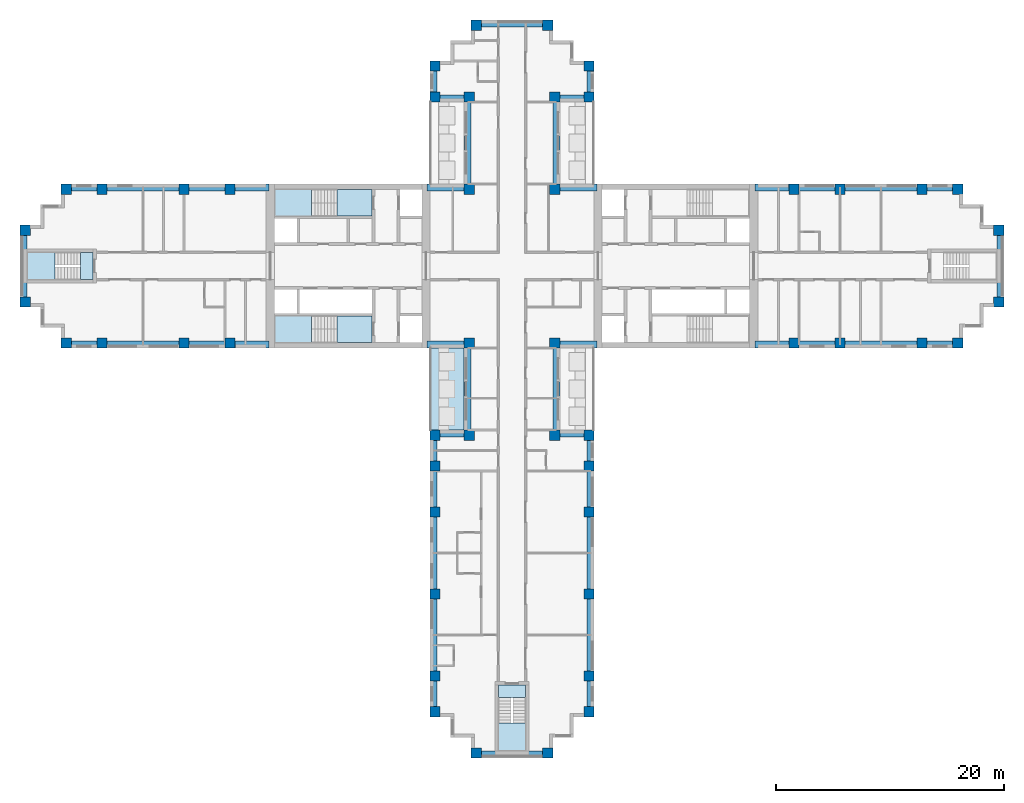
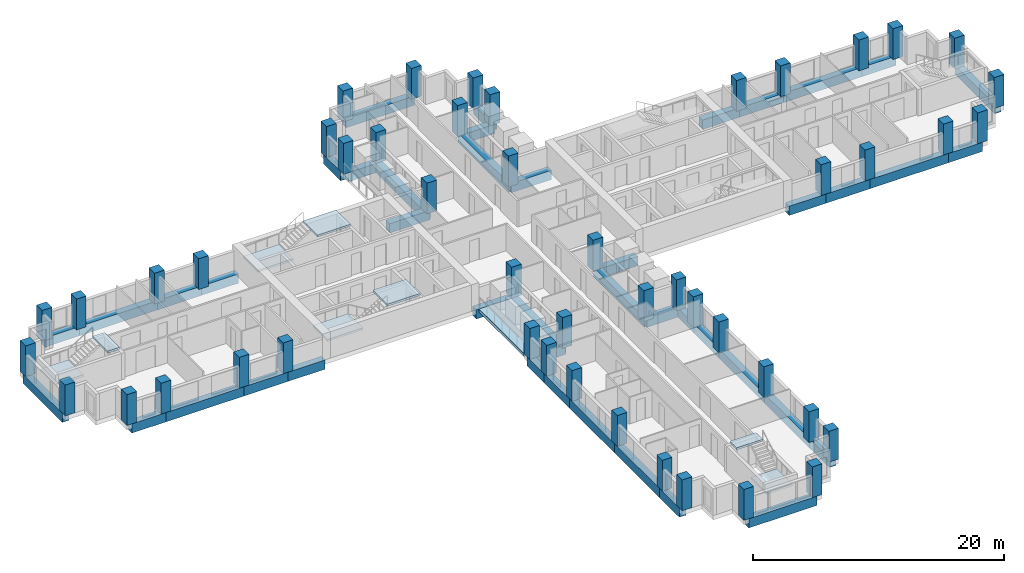
# One storey, part 1 of 13: 48 columns, 44 beams, 9 slabs, 4 elements without a shape of their own.
"""IFC4 building model written with IfcOpenShell, lengths in metres."""

from ifc_helpers import new_model, si_unit, direction, frame, origin, origin_2d, place, context, subcontext, project, spatial, polyline, rectangle, outline, extrude, material, layer, layer_set, material_profile, profile_set, type_object, element, aggregate, save


model = new_model("IFC4")

# Units and contexts
model_context = context("Model", 3, precision=1e-05, world=origin(), true_north=direction((0.0, 1.0)))
body_context = subcontext(model_context, "Body", "Model", "MODEL_VIEW")
ifc_project = project(units=[si_unit("LENGTHUNIT", "METRE"), si_unit("AREAUNIT", "SQUARE_METRE"), si_unit("VOLUMEUNIT", "CUBIC_METRE"), si_unit("PLANEANGLEUNIT", "RADIAN"), si_unit("MASSUNIT", "GRAM", prefix="KILO")], contexts=[model_context])

# Site, building, storey
site_placement = place(None, origin())
site = spatial("IfcSite", under=ifc_project, at=site_placement, CompositionType="ELEMENT")
building_placement = place(site_placement, origin())
building = spatial("IfcBuilding", under=site, at=building_placement, Name="Fustian Cross Tower", CompositionType="ELEMENT")
storey_placement = place(building_placement, frame((0.0, 0.0, 81.89990234375)))
storey = spatial("IfcBuildingStorey", under=building, at=storey_placement, Name="L25", CompositionType="ELEMENT", Elevation=81.89990234375)

# Columns
ifc_material_1 = material(Name="Concrete C60/75", Category="concrete")
ifc_material_profile_1 = material_profile(ifc_material_1, rectangle(XDim=0.89990234375, YDim=0.89990234375, at=origin_2d()), Name="RC 900x900")
ifc_profile_set_1 = profile_set([ifc_material_profile_1], Name="Concrete C60/75")
column_type = type_object("IfcColumnType", Name="COLUMN RC 900x900 C60/75", PredefinedType="COLUMN", material=ifc_profile_set_1)
for number, where, z_axis, x_axis, name in (
    (1, (-42.75, -3.14990234375, 0.0), (0.0, 0.0, 1.0), (1.0, 0.0, 0.0), "COLUMN 001"),
    (2, (-42.75, 3.14990234375, 0.0), (0.0, 0.0, 1.0), (1.0, 0.0, 0.0), "COLUMN 002"),
    (3, (-39.14990234375, -6.75, 0.0), (0.0, 0.0, 1.0), (1.0, 0.0, 0.0), "COLUMN 003"),
    (4, (-39.14990234375, 6.75, 0.0), (0.0, 0.0, 1.0), (1.0, 0.0, 0.0), "COLUMN 004"),
    (5, (-36.0, -6.75, 0.0), (0.0, 0.0, 1.0), (1.0, 0.0, 0.0), "COLUMN 005"),
    (6, (-36.0, 6.75, 0.0), (0.0, 0.0, 1.0), (1.0, 0.0, 0.0), "COLUMN 006"),
    (7, (-28.800048828125, -6.75, 0.0), (0.0, 0.0, 1.0), (1.0, 0.0, 0.0), "COLUMN 007"),
    (8, (-28.800048828125, 6.75, 0.0), (0.0, 0.0, 1.0), (1.0, 0.0, 0.0), "COLUMN 010"),
    (9, (-24.75, -6.75, 0.0), (0.0, 0.0, 1.0), (1.0, 0.0, 0.0), "COLUMN 011"),
    (10, (-24.75, 6.75, 0.0), (0.0, 0.0, 1.0), (1.0, 0.0, 0.0), "COLUMN 012"),
    (11, (-6.75, -39.14990234375, 0.0), (0.0, 0.0, 1.0), (1.0, 0.0, 0.0), "COLUMN 013"),
    (12, (-6.75, -36.0, 0.0), (0.0, 0.0, 1.0), (1.0, 0.0, 0.0), "COLUMN 014"),
    (13, (-6.75, -28.800048828125, 0.0), (0.0, 0.0, 1.0), (1.0, 0.0, 0.0), "COLUMN 015"),
    (14, (-6.75, -21.60009765625, 0.0), (0.0, 0.0, 1.0), (1.0, 0.0, 0.0), "COLUMN 016"),
    (15, (-6.75, -17.550048828125, 0.0), (0.0, 0.0, 1.0), (1.0, 0.0, 0.0), "COLUMN 017"),
    (16, (-6.75, -14.85009765625, 0.0), (0.0, 0.0, 1.0), (1.0, 0.0, 0.0), "COLUMN 018"),
    (17, (-6.75, 14.85009765625, 0.0), (0.0, 0.0, 1.0), (1.0, 0.0, 0.0), "COLUMN 019"),
    (18, (-6.75, 17.550048828125, 0.0), (0.0, 0.0, 1.0), (1.0, 0.0, 0.0), "COLUMN 020"),
    (19, (-3.75, -14.85009765625, 0.0), (0.0, 0.0, 1.0), (1.0, 0.0, 0.0), "COLUMN 025"),
    (20, (-3.75, -6.75, 0.0), (0.0, 0.0, 1.0), (1.0, 0.0, 0.0), "COLUMN 026"),
    (21, (-3.75, 6.75, 0.0), (0.0, 0.0, 1.0), (1.0, 0.0, 0.0), "COLUMN 027"),
    (22, (-3.75, 14.85009765625, 0.0), (0.0, 0.0, 1.0), (1.0, 0.0, 0.0), "COLUMN 028"),
    (23, (-3.14990234375, -42.75, 0.0), (0.0, 0.0, 1.0), (1.0, 0.0, 0.0), "COLUMN 029"),
    (24, (-3.14990234375, 21.14990234375, 0.0), (0.0, 0.0, 1.0), (1.0, 0.0, 0.0), "COLUMN 031"),
    (25, (3.14990234375, -42.75, 0.0), (0.0, 0.0, 1.0), (1.0, 0.0, 0.0), "COLUMN 033"),
    (26, (3.14990234375, 21.14990234375, 0.0), (0.0, 0.0, 1.0), (1.0, 0.0, 0.0), "COLUMN 035"),
    (27, (3.75, -14.85009765625, 0.0), (0.0, 0.0, 1.0), (1.0, 0.0, 0.0), "COLUMN 037"),
    (28, (3.75, -6.75, 0.0), (0.0, 0.0, 1.0), (1.0, 0.0, 0.0), "COLUMN 038"),
    (29, (3.75, 6.75, 0.0), (0.0, 0.0, 1.0), (1.0, 0.0, 0.0), "COLUMN 039"),
    (30, (3.75, 14.85009765625, 0.0), (0.0, 0.0, 1.0), (1.0, 0.0, 0.0), "COLUMN 040"),
    (31, (6.75, -39.14990234375, 0.0), (0.0, 0.0, 1.0), (1.0, 0.0, 0.0), "COLUMN 041"),
    (32, (6.75, -36.0, 0.0), (0.0, 0.0, 1.0), (1.0, 0.0, 0.0), "COLUMN 042"),
    (33, (6.75, -28.800048828125, 0.0), (0.0, 0.0, 1.0), (1.0, 0.0, 0.0), "COLUMN 043"),
    (34, (6.75, -21.60009765625, 0.0), (0.0, 0.0, 1.0), (1.0, 0.0, 0.0), "COLUMN 044"),
    (35, (6.75, -17.550048828125, 0.0), (0.0, 0.0, 1.0), (1.0, 0.0, 0.0), "COLUMN 045"),
    (36, (6.75, -14.85009765625, 0.0), (0.0, 0.0, 1.0), (1.0, 0.0, 0.0), "COLUMN 046"),
    (37, (6.75, 14.85009765625, 0.0), (0.0, 0.0, 1.0), (1.0, 0.0, 0.0), "COLUMN 047"),
    (38, (6.75, 17.550048828125, 0.0), (0.0, 0.0, 1.0), (1.0, 0.0, 0.0), "COLUMN 048"),
    (39, (24.75, -6.75, 0.0), (0.0, 0.0, 1.0), (1.0, 0.0, 0.0), "COLUMN 053"),
    (40, (24.75, 6.75, 0.0), (0.0, 0.0, 1.0), (1.0, 0.0, 0.0), "COLUMN 054"),
    (41, (28.800048828125, -6.75, 0.0), (0.0, 0.0, 1.0), (1.0, 0.0, 0.0), "COLUMN 055"),
    (42, (28.800048828125, 6.75, 0.0), (0.0, 0.0, 1.0), (1.0, 0.0, 0.0), "COLUMN 058"),
    (43, (36.0, -6.75, 0.0), (0.0, 0.0, 1.0), (1.0, 0.0, 0.0), "COLUMN 059"),
    (44, (36.0, 6.75, 0.0), (0.0, 0.0, 1.0), (1.0, 0.0, 0.0), "COLUMN 060"),
    (45, (39.14990234375, -6.75, 0.0), (0.0, 0.0, 1.0), (1.0, 0.0, 0.0), "COLUMN 061"),
    (46, (39.14990234375, 6.75, 0.0), (0.0, 0.0, 1.0), (1.0, 0.0, 0.0), "COLUMN 062"),
    (47, (42.75, -3.14990234375, 0.0), (0.0, 0.0, 1.0), (1.0, 0.0, 0.0), "COLUMN 063"),
    (48, (42.75, 3.14990234375, 0.0), (0.0, 0.0, 1.0), (1.0, 0.0, 0.0), "COLUMN 064"),
):
    element("IfcColumn", number, at=place(storey_placement, frame(where, z_axis=z_axis, x_axis=x_axis)), inside=storey, type_object=column_type, Name=name, PredefinedType="COLUMN", context=body_context, shape_type="SweptSolid", body=[
        extrude(rectangle(XDim=0.89990234375, YDim=0.89990234375, at=origin_2d()), origin(), (0.0, 0.0, 1.0), 3.0),
    ])

# Beams
ifc_material_2 = material(Name="Concrete C50/60", Category="concrete")
ifc_material_profile_2 = material_profile(ifc_material_2, rectangle(XDim=0.60009765625, YDim=0.89990234375, at=origin_2d()), Name="RC 600x900")
ifc_profile_set_2 = profile_set([ifc_material_profile_2], Name="Concrete C50/60")
beam_type = type_object("IfcBeamType", Name="EDGE BEAM RC 600x900 C50/60", PredefinedType="SPANDREL", material=ifc_profile_set_2)
beam_1_placement = place(storey_placement, frame((21.35009765625, -6.89990234375, -0.449951171875), z_axis=(1.0, 0.0, 0.0), x_axis=(0.0, 1.0, 0.0)))
element("IfcBeam", 49, at=beam_1_placement, inside=storey, type_object=beam_type, Name="EDGE BEAM L25-01", PredefinedType="SPANDREL", context=body_context, shape_type="SweptSolid", body=[
    extrude(rectangle(XDim=0.60009765625, YDim=0.89990234375, at=origin_2d()), origin(), (0.0, 0.0, 1.0), 3.39990234375),
])
beam_2_placement = place(storey_placement, frame((24.75, -6.89990234375, -0.449951171875), z_axis=(1.0, 0.0, 0.0), x_axis=(0.0, 1.0, 0.0)))
element("IfcBeam", 50, at=beam_2_placement, inside=storey, type_object=beam_type, Name="EDGE BEAM L25-02", PredefinedType="SPANDREL", context=body_context, shape_type="SweptSolid", body=[
    extrude(rectangle(XDim=0.60009765625, YDim=0.89990234375, at=origin_2d()), origin(), (0.0, 0.0, 1.0), 4.050048828125),
])
beam_3_placement = place(storey_placement, frame((28.800048828125, -6.89990234375, -0.449951171875), z_axis=(1.0, 0.0, 0.0), x_axis=(0.0, 1.0, 0.0)))
element("IfcBeam", 51, at=beam_3_placement, inside=storey, type_object=beam_type, Name="EDGE BEAM L25-03", PredefinedType="SPANDREL", context=body_context, shape_type="SweptSolid", body=[
    extrude(rectangle(XDim=0.60009765625, YDim=0.89990234375, at=origin_2d()), origin(), (0.0, 0.0, 1.0), 7.199951171875),
])
beam_4_placement = place(storey_placement, frame((36.0, -6.89990234375, -0.449951171875), z_axis=(1.0, 0.0, 0.0), x_axis=(0.0, 1.0, 0.0)))
element("IfcBeam", 52, at=beam_4_placement, inside=storey, type_object=beam_type, Name="EDGE BEAM L25-04", PredefinedType="SPANDREL", context=body_context, shape_type="SweptSolid", body=[
    extrude(rectangle(XDim=0.60009765625, YDim=0.89990234375, at=origin_2d()), origin(), (0.0, 0.0, 1.0), 3.14990234375),
])
beam_5_placement = place(storey_placement, frame((42.89990234375, -3.14990234375, -0.449951171875), z_axis=(0.0, 1.0, 0.0), x_axis=(-1.0, 0.0, 0.0)))
element("IfcBeam", 53, at=beam_5_placement, inside=storey, type_object=beam_type, Name="EDGE BEAM L25-05", PredefinedType="SPANDREL", context=body_context, shape_type="SweptSolid", body=[
    extrude(rectangle(XDim=0.60009765625, YDim=0.89990234375, at=origin_2d()), origin(), (0.0, 0.0, 1.0), 6.2998046875),
])
beam_6_placement = place(storey_placement, frame((39.14990234375, 6.89990234375, -0.449951171875), z_axis=(-1.0, 0.0, 0.0), x_axis=(0.0, -1.0, 0.0)))
element("IfcBeam", 54, at=beam_6_placement, inside=storey, type_object=beam_type, Name="EDGE BEAM L25-06", PredefinedType="SPANDREL", context=body_context, shape_type="SweptSolid", body=[
    extrude(rectangle(XDim=0.60009765625, YDim=0.89990234375, at=origin_2d()), origin(), (0.0, 0.0, 1.0), 3.14990234375),
])
beam_7_placement = place(storey_placement, frame((36.0, 6.89990234375, -0.449951171875), z_axis=(-1.0, 0.0, 0.0), x_axis=(0.0, -1.0, 0.0)))
element("IfcBeam", 55, at=beam_7_placement, inside=storey, type_object=beam_type, Name="EDGE BEAM L25-07", PredefinedType="SPANDREL", context=body_context, shape_type="SweptSolid", body=[
    extrude(rectangle(XDim=0.60009765625, YDim=0.89990234375, at=origin_2d()), origin(), (0.0, 0.0, 1.0), 7.199951171875),
])
beam_8_placement = place(storey_placement, frame((28.800048828125, 6.89990234375, -0.449951171875), z_axis=(-1.0, 0.0, 0.0), x_axis=(0.0, -1.0, 0.0)))
element("IfcBeam", 56, at=beam_8_placement, inside=storey, type_object=beam_type, Name="EDGE BEAM L25-08", PredefinedType="SPANDREL", context=body_context, shape_type="SweptSolid", body=[
    extrude(rectangle(XDim=0.60009765625, YDim=0.89990234375, at=origin_2d()), origin(), (0.0, 0.0, 1.0), 4.050048828125),
])
beam_9_placement = place(storey_placement, frame((24.75, 6.89990234375, -0.449951171875), z_axis=(-1.0, 0.0, 0.0), x_axis=(0.0, -1.0, 0.0)))
element("IfcBeam", 57, at=beam_9_placement, inside=storey, type_object=beam_type, Name="EDGE BEAM L25-09", PredefinedType="SPANDREL", context=body_context, shape_type="SweptSolid", body=[
    extrude(rectangle(XDim=0.60009765625, YDim=0.89990234375, at=origin_2d()), origin(), (0.0, 0.0, 1.0), 3.39990234375),
])
beam_10_placement = place(storey_placement, frame((7.449951171875, 6.89990234375, -0.449951171875), z_axis=(-1.0, 0.0, 0.0), x_axis=(0.0, -1.0, 0.0)))
element("IfcBeam", 58, at=beam_10_placement, inside=storey, type_object=beam_type, Name="EDGE BEAM L25-10", PredefinedType="SPANDREL", context=body_context, shape_type="SweptSolid", body=[
    extrude(rectangle(XDim=0.60009765625, YDim=0.89990234375, at=origin_2d()), origin(), (0.0, 0.0, 1.0), 3.699951171875),
])
beam_11_placement = place(storey_placement, frame((3.89990234375, 6.75, -0.449951171875), z_axis=(0.0, 1.0, 0.0), x_axis=(-1.0, 0.0, 0.0)))
element("IfcBeam", 59, at=beam_11_placement, inside=storey, type_object=beam_type, Name="EDGE BEAM L25-11", PredefinedType="SPANDREL", context=body_context, shape_type="SweptSolid", body=[
    extrude(rectangle(XDim=0.60009765625, YDim=0.89990234375, at=origin_2d()), origin(), (0.0, 0.0, 1.0), 8.10009765625),
])
beam_12_placement = place(storey_placement, frame((3.75, 14.699951171875, -0.449951171875), z_axis=(1.0, 0.0, 0.0), x_axis=(0.0, 1.0, 0.0)))
element("IfcBeam", 60, at=beam_12_placement, inside=storey, type_object=beam_type, Name="EDGE BEAM L25-12", PredefinedType="SPANDREL", context=body_context, shape_type="SweptSolid", body=[
    extrude(rectangle(XDim=0.60009765625, YDim=0.89990234375, at=origin_2d()), origin(), (0.0, 0.0, 1.0), 3.0),
])
beam_13_placement = place(storey_placement, frame((6.89990234375, 14.85009765625, -0.449951171875), z_axis=(0.0, 1.0, 0.0), x_axis=(-1.0, 0.0, 0.0)))
element("IfcBeam", 61, at=beam_13_placement, inside=storey, type_object=beam_type, Name="EDGE BEAM L25-13", PredefinedType="SPANDREL", context=body_context, shape_type="SweptSolid", body=[
    extrude(rectangle(XDim=0.60009765625, YDim=0.89990234375, at=origin_2d()), origin(), (0.0, 0.0, 1.0), 2.699951171875),
])
beam_14_placement = place(storey_placement, frame((3.14990234375, 21.300048828125, -0.449951171875), z_axis=(-1.0, 0.0, 0.0), x_axis=(0.0, -1.0, 0.0)))
element("IfcBeam", 62, at=beam_14_placement, inside=storey, type_object=beam_type, Name="EDGE BEAM L25-14", PredefinedType="SPANDREL", context=body_context, shape_type="SweptSolid", body=[
    extrude(rectangle(XDim=0.60009765625, YDim=0.89990234375, at=origin_2d()), origin(), (0.0, 0.0, 1.0), 6.2998046875),
])
beam_15_placement = place(storey_placement, frame((-6.89990234375, 17.550048828125, -0.449951171875), z_axis=(0.0, -1.0, 0.0), x_axis=(1.0, 0.0, 0.0)))
element("IfcBeam", 63, at=beam_15_placement, inside=storey, type_object=beam_type, Name="EDGE BEAM L25-15", PredefinedType="SPANDREL", context=body_context, shape_type="SweptSolid", body=[
    extrude(rectangle(XDim=0.60009765625, YDim=0.89990234375, at=origin_2d()), origin(), (0.0, 0.0, 1.0), 2.699951171875),
])
beam_16_placement = place(storey_placement, frame((-6.75, 14.699951171875, -0.449951171875), z_axis=(1.0, 0.0, 0.0), x_axis=(0.0, 1.0, 0.0)))
element("IfcBeam", 64, at=beam_16_placement, inside=storey, type_object=beam_type, Name="EDGE BEAM L25-16", PredefinedType="SPANDREL", context=body_context, shape_type="SweptSolid", body=[
    extrude(rectangle(XDim=0.60009765625, YDim=0.89990234375, at=origin_2d()), origin(), (0.0, 0.0, 1.0), 3.0),
])
beam_17_placement = place(storey_placement, frame((-3.89990234375, 14.85009765625, -0.449951171875), z_axis=(0.0, -1.0, 0.0), x_axis=(1.0, 0.0, 0.0)))
element("IfcBeam", 65, at=beam_17_placement, inside=storey, type_object=beam_type, Name="EDGE BEAM L25-17", PredefinedType="SPANDREL", context=body_context, shape_type="SweptSolid", body=[
    extrude(rectangle(XDim=0.60009765625, YDim=0.89990234375, at=origin_2d()), origin(), (0.0, 0.0, 1.0), 8.10009765625),
])
beam_18_placement = place(storey_placement, frame((-3.75, 6.89990234375, -0.449951171875), z_axis=(-1.0, 0.0, 0.0), x_axis=(0.0, -1.0, 0.0)))
element("IfcBeam", 66, at=beam_18_placement, inside=storey, type_object=beam_type, Name="EDGE BEAM L25-18", PredefinedType="SPANDREL", context=body_context, shape_type="SweptSolid", body=[
    extrude(rectangle(XDim=0.60009765625, YDim=0.89990234375, at=origin_2d()), origin(), (0.0, 0.0, 1.0), 3.699951171875),
])
beam_19_placement = place(storey_placement, frame((-21.35009765625, 6.89990234375, -0.449951171875), z_axis=(-1.0, 0.0, 0.0), x_axis=(0.0, -1.0, 0.0)))
element("IfcBeam", 67, at=beam_19_placement, inside=storey, type_object=beam_type, Name="EDGE BEAM L25-19", PredefinedType="SPANDREL", context=body_context, shape_type="SweptSolid", body=[
    extrude(rectangle(XDim=0.60009765625, YDim=0.89990234375, at=origin_2d()), origin(), (0.0, 0.0, 1.0), 3.39990234375),
])
beam_20_placement = place(storey_placement, frame((-24.75, 6.89990234375, -0.449951171875), z_axis=(-1.0, 0.0, 0.0), x_axis=(0.0, -1.0, 0.0)))
element("IfcBeam", 68, at=beam_20_placement, inside=storey, type_object=beam_type, Name="EDGE BEAM L25-20", PredefinedType="SPANDREL", context=body_context, shape_type="SweptSolid", body=[
    extrude(rectangle(XDim=0.60009765625, YDim=0.89990234375, at=origin_2d()), origin(), (0.0, 0.0, 1.0), 4.050048828125),
])
beam_21_placement = place(storey_placement, frame((-28.800048828125, 6.89990234375, -0.449951171875), z_axis=(-1.0, 0.0, 0.0), x_axis=(0.0, -1.0, 0.0)))
element("IfcBeam", 69, at=beam_21_placement, inside=storey, type_object=beam_type, Name="EDGE BEAM L25-21", PredefinedType="SPANDREL", context=body_context, shape_type="SweptSolid", body=[
    extrude(rectangle(XDim=0.60009765625, YDim=0.89990234375, at=origin_2d()), origin(), (0.0, 0.0, 1.0), 7.199951171875),
])
beam_22_placement = place(storey_placement, frame((-36.0, 6.89990234375, -0.449951171875), z_axis=(-1.0, 0.0, 0.0), x_axis=(0.0, -1.0, 0.0)))
element("IfcBeam", 70, at=beam_22_placement, inside=storey, type_object=beam_type, Name="EDGE BEAM L25-22", PredefinedType="SPANDREL", context=body_context, shape_type="SweptSolid", body=[
    extrude(rectangle(XDim=0.60009765625, YDim=0.89990234375, at=origin_2d()), origin(), (0.0, 0.0, 1.0), 3.14990234375),
])
beam_23_placement = place(storey_placement, frame((-42.89990234375, 3.14990234375, -0.449951171875), z_axis=(0.0, -1.0, 0.0), x_axis=(1.0, 0.0, 0.0)))
element("IfcBeam", 71, at=beam_23_placement, inside=storey, type_object=beam_type, Name="EDGE BEAM L25-23", PredefinedType="SPANDREL", context=body_context, shape_type="SweptSolid", body=[
    extrude(rectangle(XDim=0.60009765625, YDim=0.89990234375, at=origin_2d()), origin(), (0.0, 0.0, 1.0), 6.2998046875),
])
beam_24_placement = place(storey_placement, frame((-39.14990234375, -6.89990234375, -0.449951171875), z_axis=(1.0, 0.0, 0.0), x_axis=(0.0, 1.0, 0.0)))
element("IfcBeam", 72, at=beam_24_placement, inside=storey, type_object=beam_type, Name="EDGE BEAM L25-24", PredefinedType="SPANDREL", context=body_context, shape_type="SweptSolid", body=[
    extrude(rectangle(XDim=0.60009765625, YDim=0.89990234375, at=origin_2d()), origin(), (0.0, 0.0, 1.0), 3.14990234375),
])
beam_25_placement = place(storey_placement, frame((-36.0, -6.89990234375, -0.449951171875), z_axis=(1.0, 0.0, 0.0), x_axis=(0.0, 1.0, 0.0)))
element("IfcBeam", 73, at=beam_25_placement, inside=storey, type_object=beam_type, Name="EDGE BEAM L25-25", PredefinedType="SPANDREL", context=body_context, shape_type="SweptSolid", body=[
    extrude(rectangle(XDim=0.60009765625, YDim=0.89990234375, at=origin_2d()), origin(), (0.0, 0.0, 1.0), 7.199951171875),
])
beam_26_placement = place(storey_placement, frame((-28.800048828125, -6.89990234375, -0.449951171875), z_axis=(1.0, 0.0, 0.0), x_axis=(0.0, 1.0, 0.0)))
element("IfcBeam", 74, at=beam_26_placement, inside=storey, type_object=beam_type, Name="EDGE BEAM L25-26", PredefinedType="SPANDREL", context=body_context, shape_type="SweptSolid", body=[
    extrude(rectangle(XDim=0.60009765625, YDim=0.89990234375, at=origin_2d()), origin(), (0.0, 0.0, 1.0), 4.050048828125),
])
beam_27_placement = place(storey_placement, frame((-24.75, -6.89990234375, -0.449951171875), z_axis=(1.0, 0.0, 0.0), x_axis=(0.0, 1.0, 0.0)))
element("IfcBeam", 75, at=beam_27_placement, inside=storey, type_object=beam_type, Name="EDGE BEAM L25-27", PredefinedType="SPANDREL", context=body_context, shape_type="SweptSolid", body=[
    extrude(rectangle(XDim=0.60009765625, YDim=0.89990234375, at=origin_2d()), origin(), (0.0, 0.0, 1.0), 3.39990234375),
])
beam_28_placement = place(storey_placement, frame((-7.449951171875, -6.89990234375, -0.449951171875), z_axis=(1.0, 0.0, 0.0), x_axis=(0.0, 1.0, 0.0)))
element("IfcBeam", 76, at=beam_28_placement, inside=storey, type_object=beam_type, Name="EDGE BEAM L25-28", PredefinedType="SPANDREL", context=body_context, shape_type="SweptSolid", body=[
    extrude(rectangle(XDim=0.60009765625, YDim=0.89990234375, at=origin_2d()), origin(), (0.0, 0.0, 1.0), 3.699951171875),
])
beam_29_placement = place(storey_placement, frame((-3.89990234375, -6.75, -0.449951171875), z_axis=(0.0, -1.0, 0.0), x_axis=(1.0, 0.0, 0.0)))
element("IfcBeam", 77, at=beam_29_placement, inside=storey, type_object=beam_type, Name="EDGE BEAM L25-29", PredefinedType="SPANDREL", context=body_context, shape_type="SweptSolid", body=[
    extrude(rectangle(XDim=0.60009765625, YDim=0.89990234375, at=origin_2d()), origin(), (0.0, 0.0, 1.0), 8.10009765625),
])
beam_30_placement = place(storey_placement, frame((-3.75, -14.699951171875, -0.449951171875), z_axis=(-1.0, 0.0, 0.0), x_axis=(0.0, -1.0, 0.0)))
element("IfcBeam", 78, at=beam_30_placement, inside=storey, type_object=beam_type, Name="EDGE BEAM L25-30", PredefinedType="SPANDREL", context=body_context, shape_type="SweptSolid", body=[
    extrude(rectangle(XDim=0.60009765625, YDim=0.89990234375, at=origin_2d()), origin(), (0.0, 0.0, 1.0), 3.0),
])
beam_31_placement = place(storey_placement, frame((-6.89990234375, -14.85009765625, -0.449951171875), z_axis=(0.0, -1.0, 0.0), x_axis=(1.0, 0.0, 0.0)))
element("IfcBeam", 79, at=beam_31_placement, inside=storey, type_object=beam_type, Name="EDGE BEAM L25-31", PredefinedType="SPANDREL", context=body_context, shape_type="SweptSolid", body=[
    extrude(rectangle(XDim=0.60009765625, YDim=0.89990234375, at=origin_2d()), origin(), (0.0, 0.0, 1.0), 2.699951171875),
])
beam_32_placement = place(storey_placement, frame((-6.89990234375, -17.550048828125, -0.449951171875), z_axis=(0.0, -1.0, 0.0), x_axis=(1.0, 0.0, 0.0)))
element("IfcBeam", 80, at=beam_32_placement, inside=storey, type_object=beam_type, Name="EDGE BEAM L25-32", PredefinedType="SPANDREL", context=body_context, shape_type="SweptSolid", body=[
    extrude(rectangle(XDim=0.60009765625, YDim=0.89990234375, at=origin_2d()), origin(), (0.0, 0.0, 1.0), 4.050048828125),
])
for number, where, z_axis, x_axis, name in (
    (81, (-6.89990234375, -21.60009765625, -0.449951171875), (0.0, -1.0, 0.0), (1.0, 0.0, 0.0), "EDGE BEAM L25-33"),
    (82, (-6.89990234375, -28.800048828125, -0.449951171875), (0.0, -1.0, 0.0), (1.0, 0.0, 0.0), "EDGE BEAM L25-34"),
):
    element("IfcBeam", number, at=place(storey_placement, frame(where, z_axis=z_axis, x_axis=x_axis)), inside=storey, type_object=beam_type, Name=name, PredefinedType="SPANDREL", context=body_context, shape_type="SweptSolid", body=[
        extrude(rectangle(XDim=0.60009765625, YDim=0.89990234375, at=origin_2d()), origin(), (0.0, 0.0, 1.0), 7.199951171875),
    ])
beam_33_placement = place(storey_placement, frame((-6.89990234375, -36.0, -0.449951171875), z_axis=(0.0, -1.0, 0.0), x_axis=(1.0, 0.0, 0.0)))
element("IfcBeam", 83, at=beam_33_placement, inside=storey, type_object=beam_type, Name="EDGE BEAM L25-35", PredefinedType="SPANDREL", context=body_context, shape_type="SweptSolid", body=[
    extrude(rectangle(XDim=0.60009765625, YDim=0.89990234375, at=origin_2d()), origin(), (0.0, 0.0, 1.0), 3.14990234375),
])
beam_34_placement = place(storey_placement, frame((-3.14990234375, -42.89990234375, -0.449951171875), z_axis=(1.0, 0.0, 0.0), x_axis=(0.0, 1.0, 0.0)))
element("IfcBeam", 84, at=beam_34_placement, inside=storey, type_object=beam_type, Name="EDGE BEAM L25-36", PredefinedType="SPANDREL", context=body_context, shape_type="SweptSolid", body=[
    extrude(rectangle(XDim=0.60009765625, YDim=0.89990234375, at=origin_2d()), origin(), (0.0, 0.0, 1.0), 6.2998046875),
])
beam_35_placement = place(storey_placement, frame((6.89990234375, -39.14990234375, -0.449951171875), z_axis=(0.0, 1.0, 0.0), x_axis=(-1.0, 0.0, 0.0)))
element("IfcBeam", 85, at=beam_35_placement, inside=storey, type_object=beam_type, Name="EDGE BEAM L25-37", PredefinedType="SPANDREL", context=body_context, shape_type="SweptSolid", body=[
    extrude(rectangle(XDim=0.60009765625, YDim=0.89990234375, at=origin_2d()), origin(), (0.0, 0.0, 1.0), 3.14990234375),
])
for number, where, z_axis, x_axis, name in (
    (86, (6.89990234375, -36.0, -0.449951171875), (0.0, 1.0, 0.0), (-1.0, 0.0, 0.0), "EDGE BEAM L25-38"),
    (87, (6.89990234375, -28.800048828125, -0.449951171875), (0.0, 1.0, 0.0), (-1.0, 0.0, 0.0), "EDGE BEAM L25-39"),
):
    element("IfcBeam", number, at=place(storey_placement, frame(where, z_axis=z_axis, x_axis=x_axis)), inside=storey, type_object=beam_type, Name=name, PredefinedType="SPANDREL", context=body_context, shape_type="SweptSolid", body=[
        extrude(rectangle(XDim=0.60009765625, YDim=0.89990234375, at=origin_2d()), origin(), (0.0, 0.0, 1.0), 7.199951171875),
    ])
beam_36_placement = place(storey_placement, frame((6.89990234375, -21.60009765625, -0.449951171875), z_axis=(0.0, 1.0, 0.0), x_axis=(-1.0, 0.0, 0.0)))
element("IfcBeam", 88, at=beam_36_placement, inside=storey, type_object=beam_type, Name="EDGE BEAM L25-40", PredefinedType="SPANDREL", context=body_context, shape_type="SweptSolid", body=[
    extrude(rectangle(XDim=0.60009765625, YDim=0.89990234375, at=origin_2d()), origin(), (0.0, 0.0, 1.0), 4.050048828125),
])
beam_37_placement = place(storey_placement, frame((6.89990234375, -17.550048828125, -0.449951171875), z_axis=(0.0, 1.0, 0.0), x_axis=(-1.0, 0.0, 0.0)))
element("IfcBeam", 89, at=beam_37_placement, inside=storey, type_object=beam_type, Name="EDGE BEAM L25-41", PredefinedType="SPANDREL", context=body_context, shape_type="SweptSolid", body=[
    extrude(rectangle(XDim=0.60009765625, YDim=0.89990234375, at=origin_2d()), origin(), (0.0, 0.0, 1.0), 2.699951171875),
])
beam_38_placement = place(storey_placement, frame((6.75, -14.699951171875, -0.449951171875), z_axis=(-1.0, 0.0, 0.0), x_axis=(0.0, -1.0, 0.0)))
element("IfcBeam", 90, at=beam_38_placement, inside=storey, type_object=beam_type, Name="EDGE BEAM L25-42", PredefinedType="SPANDREL", context=body_context, shape_type="SweptSolid", body=[
    extrude(rectangle(XDim=0.60009765625, YDim=0.89990234375, at=origin_2d()), origin(), (0.0, 0.0, 1.0), 3.0),
])
beam_39_placement = place(storey_placement, frame((3.89990234375, -14.85009765625, -0.449951171875), z_axis=(0.0, 1.0, 0.0), x_axis=(-1.0, 0.0, 0.0)))
element("IfcBeam", 91, at=beam_39_placement, inside=storey, type_object=beam_type, Name="EDGE BEAM L25-43", PredefinedType="SPANDREL", context=body_context, shape_type="SweptSolid", body=[
    extrude(rectangle(XDim=0.60009765625, YDim=0.89990234375, at=origin_2d()), origin(), (0.0, 0.0, 1.0), 8.10009765625),
])
beam_40_placement = place(storey_placement, frame((3.75, -6.89990234375, -0.449951171875), z_axis=(1.0, 0.0, 0.0), x_axis=(0.0, 1.0, 0.0)))
element("IfcBeam", 92, at=beam_40_placement, inside=storey, type_object=beam_type, Name="EDGE BEAM L25-44", PredefinedType="SPANDREL", context=body_context, shape_type="SweptSolid", body=[
    extrude(rectangle(XDim=0.60009765625, YDim=0.89990234375, at=origin_2d()), origin(), (0.0, 0.0, 1.0), 3.699951171875),
])

# Slab
ifc_material_3 = material(Name="Concrete C40/50", Category="concrete")
ifc_layer_1 = layer(ifc_material_3, 0.300048828125)
ifc_layer_set_1 = layer_set([ifc_layer_1], Name="Concrete C40/50")
slab_type_1 = type_object("IfcSlabType", Name="BS1 BALCONY SLAB 300", PredefinedType="FLOOR", material=ifc_layer_set_1)
slab_1_placement = place(storey_placement, frame((0.0, 0.0, -0.2998046875)))
element("IfcSlab", 93, at=slab_1_placement, inside=storey, type_object=slab_type_1, Name="Balcony slab", PredefinedType="FLOOR", context=body_context, shape_type="SweptSolid", body=[
    extrude(outline(polyline([(-7.199951171875, -14.39990234375), (-4.199951171875, -14.39990234375), (-4.199951171875, -7.199951171875), (-7.199951171875, -7.199951171875), (-7.199951171875, -14.39990234375)])), origin(), (0.0, 0.0, 1.0), 0.2998046875),
])

# Stair, slabs
ifc_material_4 = material(Name="Concrete C50/60", Category="concrete")
stair_type_1 = type_object("IfcStairType", Name="STAIR 1150 HALF TURN", PredefinedType="HALF_TURN_STAIR", material=ifc_material_4)
stair_1_placement = place(storey_placement, origin())
stair_1 = element("IfcStair", 94, at=stair_1_placement, inside=storey, type_object=stair_type_1, Name="Stair ST3", PredefinedType="HALF_TURN_STAIR")
ifc_material_5 = material(Name="Concrete C50/60", Category="concrete")
ifc_layer_2 = layer(ifc_material_5, 0.199951171875)
ifc_layer_set_2 = layer_set([ifc_layer_2], Name="Concrete C50/60")
slab_type_2 = type_object("IfcSlabType", Name="STAIR LANDING", PredefinedType="LANDING", material=ifc_layer_set_2)
slab_2_placement = place(storey_placement, frame((0.0, 0.0, 1.300048828125)))
slab_2 = element("IfcSlab", 95, at=slab_2_placement, type_object=slab_type_2, Name="ST3 landing 1", PredefinedType="LANDING", context=body_context, shape_type="SweptSolid", body=[
    extrude(outline(polyline([(-17.590087890625, 4.39990234375), (-20.85009765625, 4.39990234375), (-20.85009765625, 6.699951171875), (-17.590087890625, 6.699951171875), (-17.590087890625, 4.39990234375)])), origin(), (0.0, 0.0, 1.0), 0.199951171875),
])
slab_3_placement = place(storey_placement, frame((0.0, 0.0, 2.800048828125)))
slab_3 = element("IfcSlab", 96, at=slab_3_placement, type_object=slab_type_2, Name="ST3 landing 2", PredefinedType="LANDING", context=body_context, shape_type="SweptSolid", body=[
    extrude(outline(polyline([(-12.300048828125, 4.39990234375), (-15.35009765625, 4.39990234375), (-15.35009765625, 6.699951171875), (-12.300048828125, 6.699951171875), (-12.300048828125, 4.39990234375)])), origin(), (0.0, 0.0, 1.0), 0.199951171875),
])
aggregate(stair_1, [slab_2, slab_3])

stair_2_placement = place(storey_placement, origin())
stair_2 = element("IfcStair", 97, at=stair_2_placement, inside=storey, type_object=stair_type_1, Name="Stair ST4", PredefinedType="HALF_TURN_STAIR")
slab_4_placement = place(storey_placement, frame((0.0, 0.0, 1.300048828125)))
slab_4 = element("IfcSlab", 98, at=slab_4_placement, type_object=slab_type_2, Name="ST4 landing 1", PredefinedType="LANDING", context=body_context, shape_type="SweptSolid", body=[
    extrude(outline(polyline([(-17.590087890625, -4.39990234375), (-20.85009765625, -4.39990234375), (-20.85009765625, -6.699951171875), (-17.590087890625, -6.699951171875), (-17.590087890625, -4.39990234375)])), origin(), (0.0, 0.0, 1.0), 0.199951171875),
])
slab_5_placement = place(storey_placement, frame((0.0, 0.0, 2.800048828125)))
slab_5 = element("IfcSlab", 99, at=slab_5_placement, type_object=slab_type_2, Name="ST4 landing 2", PredefinedType="LANDING", context=body_context, shape_type="SweptSolid", body=[
    extrude(outline(polyline([(-12.300048828125, -4.39990234375), (-15.35009765625, -4.39990234375), (-15.35009765625, -6.699951171875), (-12.300048828125, -6.699951171875), (-12.300048828125, -4.39990234375)])), origin(), (0.0, 0.0, 1.0), 0.199951171875),
])
aggregate(stair_2, [slab_4, slab_5])

ifc_material_6 = material(Name="Concrete C50/60", Category="concrete")
stair_type_2 = type_object("IfcStairType", Name="STAIR 1100 HALF TURN", PredefinedType="HALF_TURN_STAIR", material=ifc_material_6)
stair_3_placement = place(storey_placement, origin())
stair_3 = element("IfcStair", 100, at=stair_3_placement, inside=storey, type_object=stair_type_2, Name="Stair ST6", PredefinedType="HALF_TURN_STAIR")
slab_6_placement = place(storey_placement, frame((0.0, 0.0, 1.300048828125)))
slab_6 = element("IfcSlab", 101, at=slab_6_placement, type_object=slab_type_2, Name="ST6 landing 1", PredefinedType="LANDING", context=body_context, shape_type="SweptSolid", body=[
    extrude(outline(polyline([(-1.199951171875, -40.139892578125), (-1.199951171875, -42.60009765625), (1.199951171875, -42.60009765625), (1.199951171875, -40.139892578125), (-1.199951171875, -40.139892578125)])), origin(), (0.0, 0.0, 1.0), 0.199951171875),
])
slab_7_placement = place(storey_placement, frame((0.0, 0.0, 2.800048828125)))
slab_7 = element("IfcSlab", 102, at=slab_7_placement, type_object=slab_type_2, Name="ST6 landing 2", PredefinedType="LANDING", context=body_context, shape_type="SweptSolid", body=[
    extrude(outline(polyline([(-1.199951171875, -36.800048828125), (-1.199951171875, -37.89990234375), (1.199951171875, -37.89990234375), (1.199951171875, -36.800048828125), (-1.199951171875, -36.800048828125)])), origin(), (0.0, 0.0, 1.0), 0.199951171875),
])
aggregate(stair_3, [slab_6, slab_7])

stair_4_placement = place(storey_placement, origin())
stair_4 = element("IfcStair", 103, at=stair_4_placement, inside=storey, type_object=stair_type_2, Name="Stair ST9", PredefinedType="HALF_TURN_STAIR")
slab_8_placement = place(storey_placement, frame((0.0, 0.0, 1.300048828125)))
slab_8 = element("IfcSlab", 104, at=slab_8_placement, type_object=slab_type_2, Name="ST9 landing 1", PredefinedType="LANDING", context=body_context, shape_type="SweptSolid", body=[
    extrude(outline(polyline([(-40.139892578125, -1.199951171875), (-42.60009765625, -1.199951171875), (-42.60009765625, 1.199951171875), (-40.139892578125, 1.199951171875), (-40.139892578125, -1.199951171875)])), origin(), (0.0, 0.0, 1.0), 0.199951171875),
])
slab_9_placement = place(storey_placement, frame((0.0, 0.0, 2.800048828125)))
slab_9 = element("IfcSlab", 105, at=slab_9_placement, type_object=slab_type_2, Name="ST9 landing 2", PredefinedType="LANDING", context=body_context, shape_type="SweptSolid", body=[
    extrude(outline(polyline([(-36.800048828125, -1.199951171875), (-37.89990234375, -1.199951171875), (-37.89990234375, 1.199951171875), (-36.800048828125, 1.199951171875), (-36.800048828125, -1.199951171875)])), origin(), (0.0, 0.0, 1.0), 0.199951171875),
])
aggregate(stair_4, [slab_8, slab_9])

save(model, "model.ifc")
